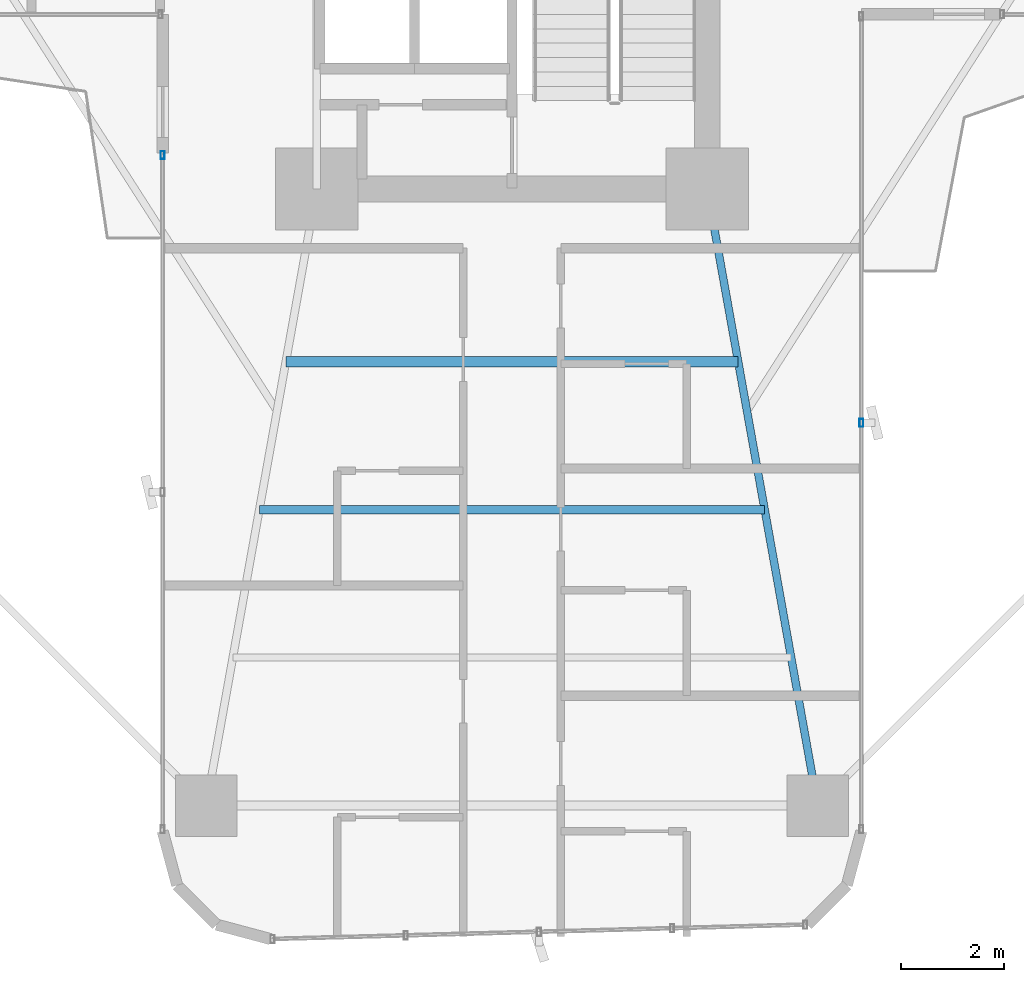
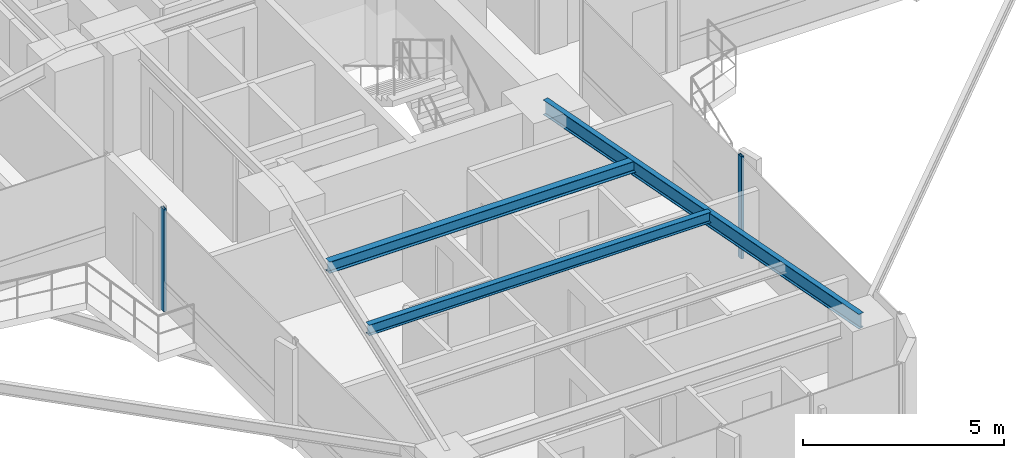
# One storey, part 4 of 25: 3 beams, 2 members, 2 elements without a shape of their own.
"""IFC4 building model written with IfcOpenShell, lengths in metres."""

from ifc_helpers import new_model, si_unit, direction, frame, origin, origin_2d, place, context, subcontext, project, spatial, hollow_rectangle, i_section, extrude, source, transform, mapped, material, material_profile, profile_set, type_object, element, aggregate, save


model = new_model("IFC4")

# Units and contexts
model_context = context("Model", 3, precision=1e-05, world=origin(), true_north=direction((0.0, 1.0)))
body_context = subcontext(model_context, "Body", "Model", "MODEL_VIEW")
ifc_project = project(units=[si_unit("LENGTHUNIT", "METRE"), si_unit("AREAUNIT", "SQUARE_METRE"), si_unit("VOLUMEUNIT", "CUBIC_METRE"), si_unit("PLANEANGLEUNIT", "RADIAN"), si_unit("MASSUNIT", "GRAM", prefix="KILO")], contexts=[model_context])

# Site, building, storey
site_placement = place(None, origin())
site = spatial("IfcSite", under=ifc_project, at=site_placement, CompositionType="ELEMENT")
building_placement = place(site_placement, origin())
building = spatial("IfcBuilding", under=site, at=building_placement, Name="Sahyath Konkavel Grand Hotel", CompositionType="ELEMENT")
storey_placement = place(building_placement, frame((0.0, 0.0, 39.85009765625)))
storey = spatial("IfcBuildingStorey", under=building, at=storey_placement, Name="L10", CompositionType="ELEMENT", Elevation=39.85009765625)

# Beams
ifc_material_1 = material(Name="Steel E350", Category="steel")
ifc_material_profile_1 = material_profile(ifc_material_1, i_section(OverallWidth=0.14990234375, OverallDepth=0.449951171875, WebThickness=0.009521484375, FlangeThickness=0.017333984375, FilletRadius=0.014892578125, at=origin_2d()), Name="ISMB 450")
ifc_profile_set_1 = profile_set([ifc_material_profile_1], Name="Steel E350")
beam_type_1 = type_object("IfcBeamType", Name="BM-ISMB450", PredefinedType="BEAM", material=ifc_profile_set_1)
shared_shape_1 = source(origin(), body_context, "Body", "SweptSolid", [
    extrude(i_section(OverallWidth=0.14990234375, OverallDepth=0.449951171875, WebThickness=0.009521484375, FlangeThickness=0.017333984375, FilletRadius=0.014892578125, at=origin_2d()), origin(), (0.0, 0.0, 1.0), 12.191162109375),
])
beam_1_placement = place(storey_placement, frame((3.800048828125, -10.199951171875, 2.885009765625), z_axis=(0.176350650305, -0.984327409014, 0.0), x_axis=(0.984327409014, 0.176350650305, 0.0)))
element("IfcBeam", 1, at=beam_1_placement, inside=storey, type_object=beam_type_1, Name="L10 Cruciform Radial Girder SB", PredefinedType="BEAM", context=body_context, shape_type="MappedRepresentation", body=[
    mapped(shared_shape_1, transform((0.0, 0.0, 0.0), scale=1.0)),
])
ifc_material_profile_2 = material_profile(ifc_material_1, i_section(OverallWidth=0.199951171875, OverallDepth=0.35009765625, WebThickness=0.008056640625, FlangeThickness=0.011474609375, FilletRadius=0.013916015625, at=origin_2d()), Name="ISWB 350")
ifc_profile_set_2 = profile_set([ifc_material_profile_2], Name="Steel E350")
beam_type_2 = type_object("IfcBeamType", Name="BM-ISWB350", PredefinedType="BEAM", material=ifc_profile_set_2)
shared_shape_2 = source(origin(), body_context, "Body", "SweptSolid", [
    extrude(i_section(OverallWidth=0.199951171875, OverallDepth=0.35009765625, WebThickness=0.008056640625, FlangeThickness=0.011474609375, FilletRadius=0.013916015625, at=origin_2d()), origin(), (0.0, 0.0, 1.0), 8.80419921875),
])
beam_2_placement = place(storey_placement, frame((-4.402099609375, -13.56005859375, 2.934814453125), z_axis=(1.0, 0.0, 0.0), x_axis=(0.0, 1.0, 0.0)))
element("IfcBeam", 2, at=beam_2_placement, inside=storey, type_object=beam_type_2, Name="L10 Secondary Floor Beam S-1", PredefinedType="BEAM", context=body_context, shape_type="MappedRepresentation", body=[
    mapped(shared_shape_2, transform((0.0, 0.0, 0.0), scale=1.0)),
])
ifc_material_profile_3 = material_profile(ifc_material_1, i_section(OverallWidth=0.1650390625, OverallDepth=0.324951171875, WebThickness=0.007080078125, FlangeThickness=0.009765625, FilletRadius=0.014892578125, at=origin_2d()), Name="ISLB 325")
ifc_profile_set_3 = profile_set([ifc_material_profile_3], Name="Steel E350")
beam_type_3 = type_object("IfcBeamType", Name="BM-ISLB325", PredefinedType="BEAM", material=ifc_profile_set_3)
shared_shape_3 = source(origin(), body_context, "Body", "SweptSolid", [
    extrude(i_section(OverallWidth=0.1650390625, OverallDepth=0.324951171875, WebThickness=0.007080078125, FlangeThickness=0.009765625, FilletRadius=0.014892578125, at=origin_2d()), origin(), (0.0, 0.0, 1.0), 9.8359375),
])
beam_3_placement = place(storey_placement, frame((-4.91796875, -16.43994140625, 2.947509765625), z_axis=(1.0, 0.0, 0.0), x_axis=(0.0, 1.0, 0.0)))
element("IfcBeam", 3, at=beam_3_placement, inside=storey, type_object=beam_type_3, Name="L10 Secondary Floor Beam S-2", PredefinedType="BEAM", context=body_context, shape_type="MappedRepresentation", body=[
    mapped(shared_shape_3, transform((0.0, 0.0, 0.0), scale=1.0)),
])

# Curtain wall, member
ifc_material_2 = material(Name="Anodised Bronze Aluminium & Low-E Glazing", Category="aluminium")
curtain_wall_type = type_object("IfcCurtainWallType", Name="CW-ZONE1", PredefinedType="NOTDEFINED", material=ifc_material_2)
curtain_wall_1_placement = place(storey_placement, origin())
curtain_wall_1 = element("IfcCurtainWall", 4, at=curtain_wall_1_placement, inside=storey, type_object=curtain_wall_type, Name="L10 Unitised Curtain Wall F24", PredefinedType="NOTDEFINED")
ifc_material_3 = material(Name="Anodised Bronze Aluminium", Category="aluminium")
ifc_material_profile_4 = material_profile(ifc_material_3, hollow_rectangle(XDim=0.080078125, YDim=0.159912109375, WallThickness=0.006103515625, at=origin_2d()), Name="RHS 160x80x6")
ifc_profile_set_4 = profile_set([ifc_material_profile_4], Name="Anodised Bronze Aluminium")
member_type = type_object("IfcMemberType", Name="CW-MUL-160", PredefinedType="MULLION", material=ifc_profile_set_4)
shared_shape_4 = source(origin(), body_context, "Body", "SweptSolid", [
    extrude(hollow_rectangle(XDim=0.080078125, YDim=0.159912109375, WallThickness=0.006103515625, at=origin_2d()), origin(), (0.0, 0.0, 1.0), 3.10986328125),
])
member_1_placement = place(storey_placement, frame((-6.800048828125, -9.5400390625, 0.0), z_axis=(0.0, 0.0, 1.0), x_axis=(1.0, 0.0, 0.0)))
member_1 = element("IfcMember", 5, at=member_1_placement, type_object=member_type, Name="L10 Curtain Wall Mullion F24-0", PredefinedType="MULLION", context=body_context, shape_type="MappedRepresentation", body=[
    mapped(shared_shape_4, transform((0.0, 0.0, 0.0), scale=1.0)),
])
aggregate(curtain_wall_1, [member_1])

curtain_wall_2_placement = place(storey_placement, origin())
curtain_wall_2 = element("IfcCurtainWall", 6, at=curtain_wall_2_placement, inside=storey, type_object=curtain_wall_type, Name="L10 Unitised Curtain Wall F31", PredefinedType="NOTDEFINED")
member_2_placement = place(storey_placement, frame((6.800048828125, -14.75, 0.0), z_axis=(0.0, 0.0, 1.0), x_axis=(1.0, 0.0, 0.0)))
member_2 = element("IfcMember", 7, at=member_2_placement, type_object=member_type, Name="L10 Curtain Wall Mullion F31-1", PredefinedType="MULLION", context=body_context, shape_type="MappedRepresentation", body=[
    mapped(shared_shape_4, transform((0.0, 0.0, 0.0), scale=1.0)),
])
aggregate(curtain_wall_2, [member_2])

save(model, "model.ifc")
